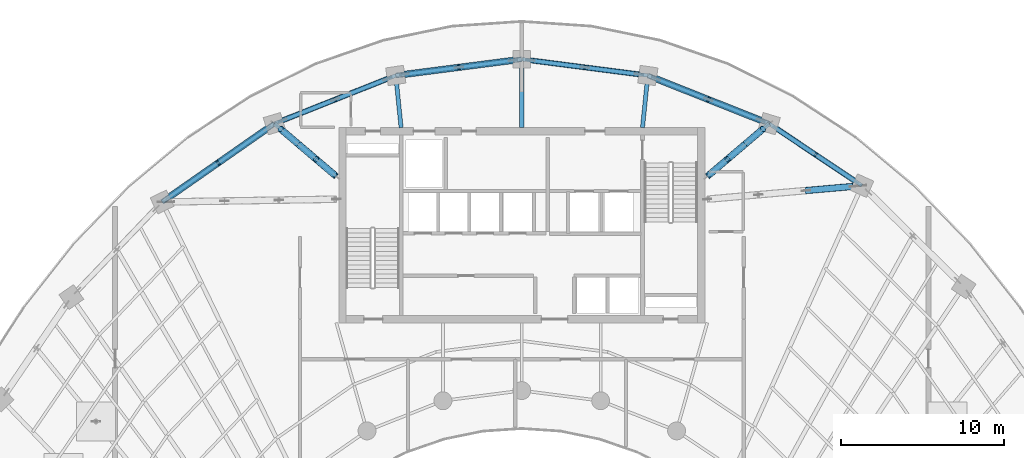
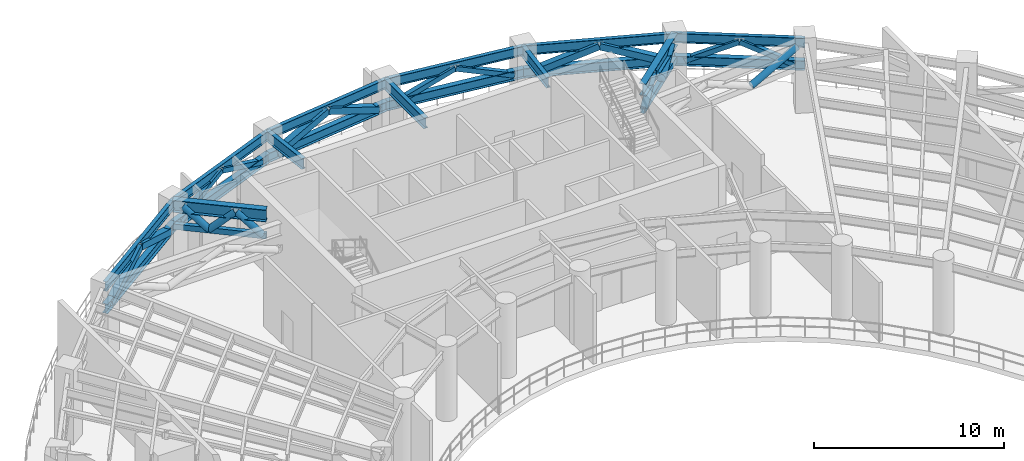
# One storey, part 5 of 24: 21 members, 17 beams.
"""IFC4 building model written with IfcOpenShell, lengths in metres."""

from ifc_helpers import new_model, si_unit, direction, frame, origin, origin_2d, place, context, subcontext, project, spatial, hollow_rectangle, hollow_circle, i_section, extrude, source, transform, mapped, material, material_profile, profile_set, type_object, element, save


model = new_model("IFC4")

# Units and contexts
model_context = context("Model", 3, precision=1e-05, world=origin(), true_north=direction((0.0, 1.0)))
body_context = subcontext(model_context, "Body", "Model", "MODEL_VIEW")
ifc_project = project(units=[si_unit("LENGTHUNIT", "METRE"), si_unit("AREAUNIT", "SQUARE_METRE"), si_unit("VOLUMEUNIT", "CUBIC_METRE"), si_unit("PLANEANGLEUNIT", "RADIAN"), si_unit("MASSUNIT", "GRAM", prefix="KILO")], contexts=[model_context])

# Site, building, storey
site_placement = place(None, origin())
site = spatial("IfcSite", under=ifc_project, at=site_placement, CompositionType="ELEMENT")
building_placement = place(site_placement, origin())
building = spatial("IfcBuilding", under=site, at=building_placement, Name="Breltana Convention Tower", CompositionType="ELEMENT")
storey_placement = place(building_placement, frame((0.0, 0.0, 189.60009765625)))
storey = spatial("IfcBuildingStorey", under=building, at=storey_placement, Name="L46", CompositionType="ELEMENT", Elevation=189.60009765625)

# Members
ifc_material_1 = material(Name="Steel EN 10210 S355J2H", Category="steel")
ifc_material_profile_1 = material_profile(ifc_material_1, hollow_rectangle(XDim=0.25, YDim=0.35009765625, WallThickness=0.011962890625, at=origin_2d()), Name="RHS350X250X12")
ifc_profile_set_1 = profile_set([ifc_material_profile_1], Name="Steel EN 10210 S355J2H")
member_type_1 = type_object("IfcMemberType", Name="MB-CH-RHS350X250X12", PredefinedType="CHORD", material=ifc_profile_set_1)
shared_shape_1 = source(origin(), body_context, "Body", "SweptSolid", [
    extrude(hollow_rectangle(XDim=0.25, YDim=0.35009765625, WallThickness=0.011962890625, at=origin_2d()), origin(), (0.0, 0.0, 1.0), 5.002197265625),
])
for number, where, z_axis, x_axis, name in (
    (1, (36.60009765625, 69.199951171875, 2.75), (-0.761474293841, 0.648195109377, 0.0), (-0.648195109377, -0.761474293841, 0.0), "L46 Outrigger Truss Bottom Chord R04N"),
    (2, (59.39990234375, 69.199951171875, 2.75), (0.761474293841, 0.648195109377, 0.0), (-0.648195109377, 0.761474293841, 0.0), "L46 Outrigger Truss Bottom Chord R08N"),
):
    element("IfcMember", number, at=place(storey_placement, frame(where, z_axis=z_axis, x_axis=x_axis)), inside=storey, type_object=member_type_1, Name=name, PredefinedType="CHORD", context=body_context, shape_type="MappedRepresentation", body=[
        mapped(shared_shape_1, transform((0.0, 0.0, 0.0), scale=1.0)),
    ])

# Beams
ifc_material_2 = material(Name="Steel ASTM A992 Grade 50", Category="steel")
ifc_material_profile_2 = material_profile(ifc_material_2, i_section(OverallWidth=0.323974609375, OverallDepth=0.611083984375, WebThickness=0.0126953125, FlangeThickness=0.01904296875, at=origin_2d()), Name="W24X104")
ifc_profile_set_2 = profile_set([ifc_material_profile_2], Name="Steel ASTM A992 Grade 50")
beam_type_1 = type_object("IfcBeamType", Name="BM-SP-W24X104", PredefinedType="SPANDREL", material=ifc_profile_set_2)
shared_shape_2 = source(origin(), body_context, "Body", "SweptSolid", [
    extrude(i_section(OverallWidth=0.323974609375, OverallDepth=0.611083984375, WebThickness=0.0126953125, FlangeThickness=0.01904296875, at=origin_2d()), origin(), (0.0, 0.0, 1.0), 8.4169921875),
])
beam_1_placement = place(storey_placement, frame((25.8876953125, 67.626953125, 2.75), z_axis=(0.820173800102, 0.572114444519, 0.0), x_axis=(-0.572114444519, 0.820173800102, 0.0)))
element("IfcBeam", 3, at=beam_1_placement, inside=storey, type_object=beam_type_1, Name="L46 Perimeter Belt Truss Sill Chord 03", PredefinedType="SPANDREL", context=body_context, shape_type="MappedRepresentation", body=[
    mapped(shared_shape_2, transform((0.0, 0.0, 0.0), scale=1.0)),
])
shared_shape_3 = source(origin(), body_context, "Body", "SweptSolid", [
    extrude(i_section(OverallWidth=0.323974609375, OverallDepth=0.611083984375, WebThickness=0.0126953125, FlangeThickness=0.01904296875, at=origin_2d()), origin(), (0.0, 0.0, 1.0), 8.028564453125),
])
for number, where, z_axis, x_axis, name in (
    (4, (32.791015625, 72.4423828125, 2.75), (0.929459100394, 0.368925169507, 0.0), (-0.368925169507, 0.929459100394, 0.0), "L46 Perimeter Belt Truss Sill Chord 04"),
    (5, (55.746826171875, 75.404296875, 2.75), (0.929459100394, -0.368925169507, 0.0), (0.368925169507, 0.929459100394, 0.0), "L46 Perimeter Belt Truss Sill Chord 07"),
):
    element("IfcBeam", number, at=place(storey_placement, frame(where, z_axis=z_axis, x_axis=x_axis)), inside=storey, type_object=beam_type_1, Name=name, PredefinedType="SPANDREL", context=body_context, shape_type="MappedRepresentation", body=[
        mapped(shared_shape_3, transform((0.0, 0.0, 0.0), scale=1.0)),
    ])
shared_shape_4 = source(origin(), body_context, "Body", "SweptSolid", [
    extrude(i_section(OverallWidth=0.323974609375, OverallDepth=0.611083984375, WebThickness=0.0126953125, FlangeThickness=0.01904296875, at=origin_2d()), origin(), (0.0, 0.0, 1.0), 7.81103515625),
])
for number, where, z_axis, x_axis, name in (
    (6, (40.253173828125, 75.404296875, 2.75), (0.991775179127, 0.127992164083, 0.0), (-0.127992164083, 0.991775179127, 0.0), "L46 Perimeter Belt Truss Sill Chord 05"),
    (7, (48.0, 76.404052734375, 2.75), (0.991775179127, -0.127992164083, 0.0), (0.127992164083, 0.991775179127, 0.0), "L46 Perimeter Belt Truss Sill Chord 06"),
):
    element("IfcBeam", number, at=place(storey_placement, frame(where, z_axis=z_axis, x_axis=x_axis)), inside=storey, type_object=beam_type_1, Name=name, PredefinedType="SPANDREL", context=body_context, shape_type="MappedRepresentation", body=[
        mapped(shared_shape_4, transform((0.0, 0.0, 0.0), scale=1.0)),
    ])
shared_shape_5 = source(origin(), body_context, "Body", "SweptSolid", [
    extrude(i_section(OverallWidth=0.323974609375, OverallDepth=0.611083984375, WebThickness=0.0126953125, FlangeThickness=0.01904296875, at=origin_2d()), origin(), (0.0, 0.0, 1.0), 6.856689453125),
])
beam_2_placement = place(storey_placement, frame((63.208984375, 72.4423828125, 2.75), z_axis=(0.83150210718, -0.55552159792, 0.0), x_axis=(0.55552159792, 0.83150210718, 0.0)))
element("IfcBeam", 8, at=beam_2_placement, inside=storey, type_object=beam_type_1, Name="L46 Perimeter Belt Truss Sill Chord 08", PredefinedType="SPANDREL", context=body_context, shape_type="MappedRepresentation", body=[
    mapped(shared_shape_5, transform((0.0, 0.0, 0.0), scale=1.0)),
])
ifc_material_profile_3 = material_profile(ifc_material_2, i_section(OverallWidth=0.381103515625, OverallDepth=0.77294921875, WebThickness=0.0166015625, FlangeThickness=0.027099609375, at=origin_2d()), Name="W30X173")
ifc_profile_set_3 = profile_set([ifc_material_profile_3], Name="Steel ASTM A992 Grade 50")
beam_type_2 = type_object("IfcBeamType", Name="BM-OT-W30X173", PredefinedType="USERDEFINED", material=ifc_profile_set_3)
shared_shape_6 = source(origin(), body_context, "Body", "SweptSolid", [
    extrude(i_section(OverallWidth=0.381103515625, OverallDepth=0.77294921875, WebThickness=0.0166015625, FlangeThickness=0.027099609375, at=origin_2d()), origin(), (0.0, 0.0, 1.0), 5.002197265625),
])
for number, where, z_axis, x_axis, name in (
    (9, (36.60009765625, 69.199951171875, 4.093505859375), (-0.761474293841, 0.648195109377, 0.0), (-0.648195109377, -0.761474293841, 0.0), "L46 Outrigger Top Chord R04N"),
    (10, (59.39990234375, 69.199951171875, 4.093505859375), (0.761474293841, 0.648195109377, 0.0), (-0.648195109377, 0.761474293841, 0.0), "L46 Outrigger Top Chord R08N"),
):
    element("IfcBeam", number, at=place(storey_placement, frame(where, z_axis=z_axis, x_axis=x_axis)), inside=storey, type_object=beam_type_2, Name=name, ObjectType="GIRDER", PredefinedType="USERDEFINED", context=body_context, shape_type="MappedRepresentation", body=[
        mapped(shared_shape_6, transform((0.0, 0.0, 0.0), scale=1.0)),
    ])

# Members
ifc_material_profile_4 = material_profile(ifc_material_1, hollow_circle(Radius=0.202880859375, WallThickness=0.01611328125, at=origin_2d()), Name="CHS406X16")
ifc_profile_set_4 = profile_set([ifc_material_profile_4], Name="Steel EN 10210 S355J2H")
member_type_2 = type_object("IfcMemberType", Name="MB-BR-CHS406X16", PredefinedType="BRACE", material=ifc_profile_set_4)
shared_shape_7 = source(origin(), body_context, "Body", "SweptSolid", [
    extrude(hollow_circle(Radius=0.202880859375, WallThickness=0.01611328125, at=origin_2d()), origin(), (0.0, 0.0, 1.0), 1.965087890625),
])
for number, where, z_axis, x_axis, name in (
    (11, (36.44775390625, 69.32958984375, 2.75), (-0.555698902521, 0.473083259736, 0.683659973301), (-0.648236249952, -0.761439271543, 0.0), "L46 Outrigger Truss Diagonal 1 R04N"),
    (12, (35.355712890625, 70.25927734375, 4.093505859375), (-0.555731561231, 0.472986821731, -0.683700152348), (-0.64813753594, -0.761523298728, 0.0), "L46 Outrigger Truss Diagonal 2 R04N"),
    (13, (34.263671875, 71.188720703125, 2.75), (-0.555698902521, 0.473083259736, 0.683659973301), (-0.648236249952, -0.761439271543, 0.0), "L46 Outrigger Truss Diagonal 3 R04N"),
    (14, (59.55224609375, 69.32958984375, 2.75), (0.555698902521, 0.473083259736, 0.683659973301), (-0.648236249952, 0.761439271543, 0.0), "L46 Outrigger Truss Diagonal 1 R08N"),
    (15, (60.644287109375, 70.25927734375, 4.093505859375), (0.555731561231, 0.472986821731, -0.683700152348), (-0.64813753594, 0.761523298728, 0.0), "L46 Outrigger Truss Diagonal 2 R08N"),
    (16, (61.736328125, 71.188720703125, 2.75), (0.555698902521, 0.473083259736, 0.683659973301), (-0.648236249952, 0.761439271543, 0.0), "L46 Outrigger Truss Diagonal 3 R08N"),
):
    element("IfcMember", number, at=place(storey_placement, frame(where, z_axis=z_axis, x_axis=x_axis)), inside=storey, type_object=member_type_2, Name=name, PredefinedType="BRACE", context=body_context, shape_type="MappedRepresentation", body=[
        mapped(shared_shape_7, transform((0.0, 0.0, 0.0), scale=1.0)),
    ])
shared_shape_8 = source(origin(), body_context, "Body", "SweptSolid", [
    extrude(hollow_circle(Radius=0.202880859375, WallThickness=0.01611328125, at=origin_2d()), origin(), (0.0, 0.0, 1.0), 3.24072265625),
])
member_1_placement = place(storey_placement, frame((65.474609375, 68.332275390625, 2.75), z_axis=(0.906539994774, 0.079406062868, 0.414584026531), x_axis=(-0.087258351559, 0.996185715659, 0.0)))
element("IfcMember", 17, at=member_1_placement, inside=storey, type_object=member_type_2, Name="L46 Outrigger Truss Diagonal 3 R09E", PredefinedType="BRACE", context=body_context, shape_type="MappedRepresentation", body=[
    mapped(shared_shape_8, transform((0.0, 0.0, 0.0), scale=1.0)),
])
ifc_material_profile_5 = material_profile(ifc_material_1, hollow_rectangle(XDim=0.39990234375, YDim=0.39990234375, WallThickness=0.01611328125, at=origin_2d()), Name="RHS400X400X16")
ifc_profile_set_5 = profile_set([ifc_material_profile_5], Name="Steel EN 10210 S355J2H")
member_type_3 = type_object("IfcMemberType", Name="MB-BR-RHS400X400X16", PredefinedType="BRACE", material=ifc_profile_set_5)
shared_shape_9 = source(origin(), body_context, "Body", "SweptSolid", [
    extrude(hollow_rectangle(XDim=0.39990234375, YDim=0.39990234375, WallThickness=0.01611328125, at=origin_2d()), origin(), (0.0, 0.0, 1.0), 3.8974609375),
])
member_2_placement = place(storey_placement, frame((26.3388671875, 67.941650390625, 2.75), z_axis=(0.769870336228, 0.537092616991, 0.344718995953), x_axis=(-0.57216280693, 0.820140062651, 0.0)))
element("IfcMember", 18, at=member_2_placement, inside=storey, type_object=member_type_3, Name="L46 Perimeter Belt Truss Brace 03A", PredefinedType="BRACE", context=body_context, shape_type="MappedRepresentation", body=[
    mapped(shared_shape_9, transform((0.0, 0.0, 0.0), scale=1.0)),
])
shared_shape_10 = source(origin(), body_context, "Body", "SweptSolid", [
    extrude(hollow_rectangle(XDim=0.39990234375, YDim=0.39990234375, WallThickness=0.01611328125, at=origin_2d()), origin(), (0.0, 0.0, 1.0), 3.897216796875),
])
member_3_placement = place(storey_placement, frame((29.33935546875, 70.034912109375, 4.093505859375), z_axis=(0.769922139315, 0.53700346446, -0.344742191428), x_axis=(-0.572073024379, 0.820202691277, 0.0)))
element("IfcMember", 19, at=member_3_placement, inside=storey, type_object=member_type_3, Name="L46 Perimeter Belt Truss Brace 03B", PredefinedType="BRACE", context=body_context, shape_type="MappedRepresentation", body=[
    mapped(shared_shape_10, transform((0.0, 0.0, 0.0), scale=1.0)),
])
ifc_material_profile_6 = material_profile(ifc_material_1, hollow_rectangle(XDim=0.300048828125, YDim=0.300048828125, WallThickness=0.011962890625, at=origin_2d()), Name="RHS300X300X12")
ifc_profile_set_6 = profile_set([ifc_material_profile_6], Name="Steel EN 10210 S355J2H")
member_type_4 = type_object("IfcMemberType", Name="MB-BR-RHS300X300X12", PredefinedType="BRACE", material=ifc_profile_set_6)
shared_shape_11 = source(origin(), body_context, "Body", "SweptSolid", [
    extrude(hollow_rectangle(XDim=0.300048828125, YDim=0.300048828125, WallThickness=0.011962890625, at=origin_2d()), origin(), (0.0, 0.0, 1.0), 3.7158203125),
])
member_4_placement = place(storey_placement, frame((33.30224609375, 72.6455078125, 2.75), z_axis=(0.866576698772, 0.34396307666, 0.361571883641), x_axis=(-0.368922833074, 0.929460027778, 0.0)))
element("IfcMember", 20, at=member_4_placement, inside=storey, type_object=member_type_4, Name="L46 Perimeter Belt Truss Brace 04A", PredefinedType="BRACE", context=body_context, shape_type="MappedRepresentation", body=[
    mapped(shared_shape_11, transform((0.0, 0.0, 0.0), scale=1.0)),
])
shared_shape_12 = source(origin(), body_context, "Body", "SweptSolid", [
    extrude(hollow_rectangle(XDim=0.300048828125, YDim=0.300048828125, WallThickness=0.011962890625, at=origin_2d()), origin(), (0.0, 0.0, 1.0), 3.71533203125),
])
member_5_placement = place(storey_placement, frame((36.522216796875, 73.923583984375, 4.093505859375), z_axis=(0.866579919228, 0.343924726815, -0.361600644185), x_axis=(-0.368886113541, 0.929474601717, 0.0)))
element("IfcMember", 21, at=member_5_placement, inside=storey, type_object=member_type_4, Name="L46 Perimeter Belt Truss Brace 04B", PredefinedType="BRACE", context=body_context, shape_type="MappedRepresentation", body=[
    mapped(shared_shape_12, transform((0.0, 0.0, 0.0), scale=1.0)),
])
shared_shape_13 = source(origin(), body_context, "Body", "SweptSolid", [
    extrude(hollow_rectangle(XDim=0.39990234375, YDim=0.39990234375, WallThickness=0.01611328125, at=origin_2d()), origin(), (0.0, 0.0, 1.0), 3.61474609375),
])
member_6_placement = place(storey_placement, frame((40.798583984375, 75.474853515625, 2.75), z_axis=(0.920726977821, 0.11880565977, 0.371681379031), x_axis=(-0.127973646087, 0.991777568766, 0.0)))
element("IfcMember", 22, at=member_6_placement, inside=storey, type_object=member_type_3, Name="L46 Perimeter Belt Truss Brace 05A", PredefinedType="BRACE", context=body_context, shape_type="MappedRepresentation", body=[
    mapped(shared_shape_13, transform((0.0, 0.0, 0.0), scale=1.0)),
])
shared_shape_14 = source(origin(), body_context, "Body", "SweptSolid", [
    extrude(hollow_rectangle(XDim=0.39990234375, YDim=0.39990234375, WallThickness=0.01611328125, at=origin_2d()), origin(), (0.0, 0.0, 1.0), 3.614501953125),
])
member_7_placement = place(storey_placement, frame((44.126708984375, 75.904296875, 4.093505859375), z_axis=(0.920724079892, 0.118746455319, -0.371707476461), x_axis=(-0.127911312618, 0.99178560995, 0.0)))
element("IfcMember", 23, at=member_7_placement, inside=storey, type_object=member_type_3, Name="L46 Perimeter Belt Truss Brace 05B", PredefinedType="BRACE", context=body_context, shape_type="MappedRepresentation", body=[
    mapped(shared_shape_14, transform((0.0, 0.0, 0.0), scale=1.0)),
])
shared_shape_15 = source(origin(), body_context, "Body", "SweptSolid", [
    extrude(hollow_rectangle(XDim=0.300048828125, YDim=0.300048828125, WallThickness=0.011962890625, at=origin_2d()), origin(), (0.0, 0.0, 1.0), 3.614501953125),
])
member_8_placement = place(storey_placement, frame((48.54541015625, 76.33349609375, 2.75), z_axis=(0.920724079892, -0.118746455319, 0.371707476461), x_axis=(0.127911312618, 0.99178560995, 0.0)))
element("IfcMember", 24, at=member_8_placement, inside=storey, type_object=member_type_4, Name="L46 Perimeter Belt Truss Brace 06A", PredefinedType="BRACE", context=body_context, shape_type="MappedRepresentation", body=[
    mapped(shared_shape_15, transform((0.0, 0.0, 0.0), scale=1.0)),
])
shared_shape_16 = source(origin(), body_context, "Body", "SweptSolid", [
    extrude(hollow_rectangle(XDim=0.300048828125, YDim=0.300048828125, WallThickness=0.011962890625, at=origin_2d()), origin(), (0.0, 0.0, 1.0), 3.61474609375),
])
member_9_placement = place(storey_placement, frame((51.873291015625, 75.904296875, 4.093505859375), z_axis=(0.920726977821, -0.11880565977, -0.371681379031), x_axis=(0.127973646087, 0.991777568766, 0.0)))
element("IfcMember", 25, at=member_9_placement, inside=storey, type_object=member_type_4, Name="L46 Perimeter Belt Truss Brace 06B", PredefinedType="BRACE", context=body_context, shape_type="MappedRepresentation", body=[
    mapped(shared_shape_16, transform((0.0, 0.0, 0.0), scale=1.0)),
])
shared_shape_17 = source(origin(), body_context, "Body", "SweptSolid", [
    extrude(hollow_rectangle(XDim=0.39990234375, YDim=0.39990234375, WallThickness=0.01611328125, at=origin_2d()), origin(), (0.0, 0.0, 1.0), 3.71533203125),
])
member_10_placement = place(storey_placement, frame((56.258056640625, 75.201416015625, 2.75), z_axis=(0.866579919228, -0.343924726815, 0.361600644185), x_axis=(0.368886113541, 0.929474601717, 0.0)))
element("IfcMember", 26, at=member_10_placement, inside=storey, type_object=member_type_3, Name="L46 Perimeter Belt Truss Brace 07A", PredefinedType="BRACE", context=body_context, shape_type="MappedRepresentation", body=[
    mapped(shared_shape_17, transform((0.0, 0.0, 0.0), scale=1.0)),
])
shared_shape_18 = source(origin(), body_context, "Body", "SweptSolid", [
    extrude(hollow_rectangle(XDim=0.39990234375, YDim=0.39990234375, WallThickness=0.01611328125, at=origin_2d()), origin(), (0.0, 0.0, 1.0), 3.7158203125),
])
member_11_placement = place(storey_placement, frame((59.477783203125, 73.923583984375, 4.093505859375), z_axis=(0.866576698772, -0.34396307666, -0.361571883641), x_axis=(0.368922833074, 0.929460027778, 0.0)))
element("IfcMember", 27, at=member_11_placement, inside=storey, type_object=member_type_3, Name="L46 Perimeter Belt Truss Brace 07B", PredefinedType="BRACE", context=body_context, shape_type="MappedRepresentation", body=[
    mapped(shared_shape_18, transform((0.0, 0.0, 0.0), scale=1.0)),
])
shared_shape_19 = source(origin(), body_context, "Body", "SweptSolid", [
    extrude(hollow_rectangle(XDim=0.300048828125, YDim=0.300048828125, WallThickness=0.011962890625, at=origin_2d()), origin(), (0.0, 0.0, 1.0), 3.1767578125),
])
member_12_placement = place(storey_placement, frame((63.666259765625, 72.136962890625, 2.75), z_axis=(0.753476634551, -0.503393712394, 0.422927572413), x_axis=(0.555521954479, 0.831501868964, 0.0)))
element("IfcMember", 28, at=member_12_placement, inside=storey, type_object=member_type_4, Name="L46 Perimeter Belt Truss Brace 08A", PredefinedType="BRACE", context=body_context, shape_type="MappedRepresentation", body=[
    mapped(shared_shape_19, transform((0.0, 0.0, 0.0), scale=1.0)),
])
shared_shape_20 = source(origin(), body_context, "Body", "SweptSolid", [
    extrude(hollow_rectangle(XDim=0.300048828125, YDim=0.300048828125, WallThickness=0.011962890625, at=origin_2d()), origin(), (0.0, 0.0, 1.0), 3.176513671875),
])
member_13_placement = place(storey_placement, frame((66.059814453125, 70.537841796875, 4.093505859375), z_axis=(0.753443409759, -0.503422863809, -0.422952064052), x_axis=(0.555561133013, 0.831475692661, 0.0)))
element("IfcMember", 29, at=member_13_placement, inside=storey, type_object=member_type_4, Name="L46 Perimeter Belt Truss Brace 08B", PredefinedType="BRACE", context=body_context, shape_type="MappedRepresentation", body=[
    mapped(shared_shape_20, transform((0.0, 0.0, 0.0), scale=1.0)),
])

# Beams
ifc_material_profile_7 = material_profile(ifc_material_2, i_section(OverallWidth=0.25390625, OverallDepth=0.68798828125, WebThickness=0.01318359375, FlangeThickness=0.02099609375, at=origin_2d()), Name="W27X102")
ifc_profile_set_7 = profile_set([ifc_material_profile_7], Name="Steel ASTM A992 Grade 50")
beam_type_3 = type_object("IfcBeamType", Name="BM-RG-W27X102", PredefinedType="USERDEFINED", material=ifc_profile_set_7)
shared_shape_21 = source(origin(), body_context, "Body", "SweptSolid", [
    extrude(i_section(OverallWidth=0.25390625, OverallDepth=0.68798828125, WebThickness=0.01318359375, FlangeThickness=0.02099609375, at=origin_2d()), origin(), (0.0, 0.0, 1.0), 3.220947265625),
])
for number, where, z_axis, x_axis, name in (
    (30, (40.580078125, 72.199951171875, 4.135986328125), (-0.101492254858, 0.994836329355, 0.0), (-0.994836329355, -0.101492254858, 0.0), "L46 North Core Radial Girder R05"),
    (31, (55.419921875, 72.199951171875, 4.135986328125), (0.101492254858, 0.994836329355, 0.0), (-0.994836329355, 0.101492254858, 0.0), "L46 North Core Radial Girder R07"),
):
    element("IfcBeam", number, at=place(storey_placement, frame(where, z_axis=z_axis, x_axis=x_axis)), inside=storey, type_object=beam_type_3, Name=name, ObjectType="GIRDER", PredefinedType="USERDEFINED", context=body_context, shape_type="MappedRepresentation", body=[
        mapped(shared_shape_21, transform((0.0, 0.0, 0.0), scale=1.0)),
    ])
shared_shape_22 = source(origin(), body_context, "Body", "SweptSolid", [
    extrude(i_section(OverallWidth=0.25390625, OverallDepth=0.68798828125, WebThickness=0.01318359375, FlangeThickness=0.02099609375, at=origin_2d()), origin(), (0.0, 0.0, 1.0), 4.2041015625),
])
beam_3_placement = place(storey_placement, frame((48.0, 72.199951171875, 4.135986328125), z_axis=(0.0, 1.0, 0.0), x_axis=(-1.0, 0.0, 0.0)))
element("IfcBeam", 32, at=beam_3_placement, inside=storey, type_object=beam_type_3, Name="L46 North Core Radial Girder R06", ObjectType="GIRDER", PredefinedType="USERDEFINED", context=body_context, shape_type="MappedRepresentation", body=[
    mapped(shared_shape_22, transform((0.0, 0.0, 0.0), scale=1.0)),
])
ifc_material_profile_8 = material_profile(ifc_material_2, i_section(OverallWidth=0.22802734375, OverallDepth=0.60791015625, WebThickness=0.01123046875, FlangeThickness=0.017333984375, at=origin_2d()), Name="W24X76")
ifc_profile_set_8 = profile_set([ifc_material_profile_8], Name="Steel ASTM A992 Grade 50")
beam_type_4 = type_object("IfcBeamType", Name="BM-SP-W24X76", PredefinedType="SPANDREL", material=ifc_profile_set_8)
shared_shape_23 = source(origin(), body_context, "Body", "SweptSolid", [
    extrude(i_section(OverallWidth=0.22802734375, OverallDepth=0.60791015625, WebThickness=0.01123046875, FlangeThickness=0.017333984375, at=origin_2d()), origin(), (0.0, 0.0, 1.0), 8.4169921875),
])
beam_4_placement = place(storey_placement, frame((25.8876953125, 67.626953125, 4.17578125), z_axis=(0.820173800102, 0.572114444519, 0.0), x_axis=(-0.572114444519, 0.820173800102, 0.0)))
element("IfcBeam", 33, at=beam_4_placement, inside=storey, type_object=beam_type_4, Name="L46 Outer Spandrel Beam 03", PredefinedType="SPANDREL", context=body_context, shape_type="MappedRepresentation", body=[
    mapped(shared_shape_23, transform((0.0, 0.0, 0.0), scale=1.0)),
])
shared_shape_24 = source(origin(), body_context, "Body", "SweptSolid", [
    extrude(i_section(OverallWidth=0.22802734375, OverallDepth=0.60791015625, WebThickness=0.01123046875, FlangeThickness=0.017333984375, at=origin_2d()), origin(), (0.0, 0.0, 1.0), 8.028564453125),
])
for number, where, z_axis, x_axis, name in (
    (34, (32.791015625, 72.4423828125, 4.17578125), (0.929459100394, 0.368925169507, 0.0), (-0.368925169507, 0.929459100394, 0.0), "L46 Outer Spandrel Beam 04"),
    (35, (55.746826171875, 75.404296875, 4.17578125), (0.929459100394, -0.368925169507, 0.0), (0.368925169507, 0.929459100394, 0.0), "L46 Outer Spandrel Beam 07"),
):
    element("IfcBeam", number, at=place(storey_placement, frame(where, z_axis=z_axis, x_axis=x_axis)), inside=storey, type_object=beam_type_4, Name=name, PredefinedType="SPANDREL", context=body_context, shape_type="MappedRepresentation", body=[
        mapped(shared_shape_24, transform((0.0, 0.0, 0.0), scale=1.0)),
    ])
shared_shape_25 = source(origin(), body_context, "Body", "SweptSolid", [
    extrude(i_section(OverallWidth=0.22802734375, OverallDepth=0.60791015625, WebThickness=0.01123046875, FlangeThickness=0.017333984375, at=origin_2d()), origin(), (0.0, 0.0, 1.0), 7.81103515625),
])
for number, where, z_axis, x_axis, name in (
    (36, (40.253173828125, 75.404296875, 4.17578125), (0.991775179127, 0.127992164083, 0.0), (-0.127992164083, 0.991775179127, 0.0), "L46 Outer Spandrel Beam 05"),
    (37, (48.0, 76.404052734375, 4.17578125), (0.991775179127, -0.127992164083, 0.0), (0.127992164083, 0.991775179127, 0.0), "L46 Outer Spandrel Beam 06"),
):
    element("IfcBeam", number, at=place(storey_placement, frame(where, z_axis=z_axis, x_axis=x_axis)), inside=storey, type_object=beam_type_4, Name=name, PredefinedType="SPANDREL", context=body_context, shape_type="MappedRepresentation", body=[
        mapped(shared_shape_25, transform((0.0, 0.0, 0.0), scale=1.0)),
    ])
shared_shape_26 = source(origin(), body_context, "Body", "SweptSolid", [
    extrude(i_section(OverallWidth=0.22802734375, OverallDepth=0.60791015625, WebThickness=0.01123046875, FlangeThickness=0.017333984375, at=origin_2d()), origin(), (0.0, 0.0, 1.0), 6.856689453125),
])
beam_5_placement = place(storey_placement, frame((63.208984375, 72.4423828125, 4.17578125), z_axis=(0.83150210718, -0.55552159792, 0.0), x_axis=(0.55552159792, 0.83150210718, 0.0)))
element("IfcBeam", 38, at=beam_5_placement, inside=storey, type_object=beam_type_4, Name="L46 Outer Spandrel Beam 08", PredefinedType="SPANDREL", context=body_context, shape_type="MappedRepresentation", body=[
    mapped(shared_shape_26, transform((0.0, 0.0, 0.0), scale=1.0)),
])

save(model, "model.ifc")
